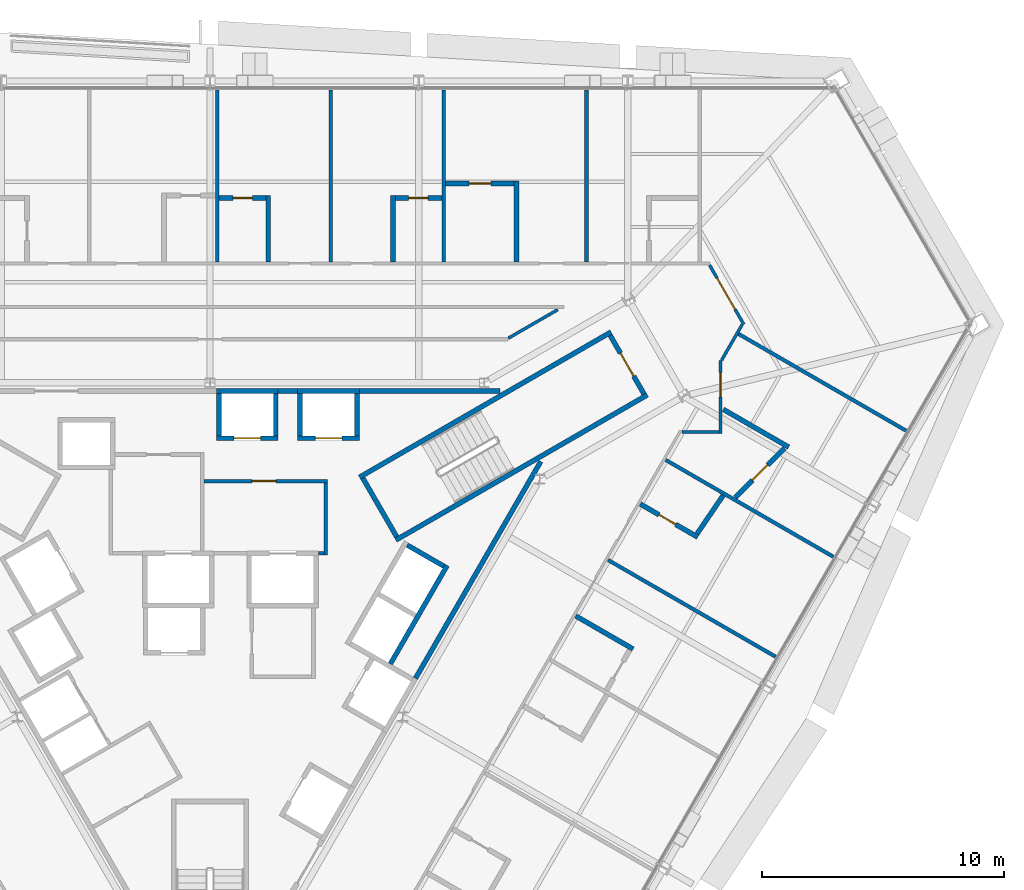
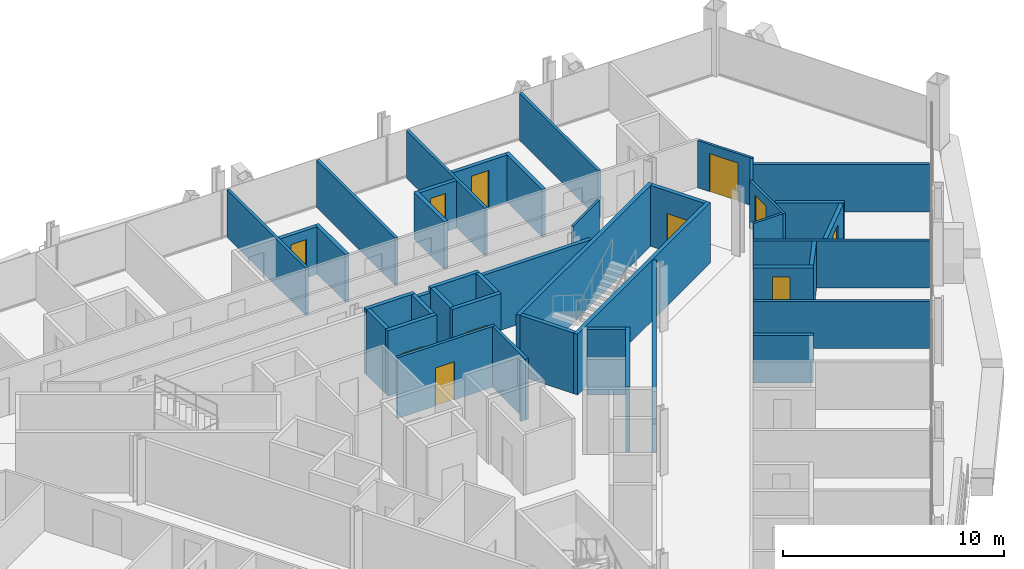
# One storey, part 15 of 18: 43 walls, 11 doors, 11 openings.
"""IFC4 building model written with IfcOpenShell, lengths in metres."""

from ifc_helpers import new_model, si_unit, direction, frame, frame_2d, origin, place, context, subcontext, project, spatial, rectangle, extrude, material, layer, layer_set, type_object, element, fill, save


model = new_model("IFC4")

# Units and contexts
model_context = context("Model", 3, precision=1e-05, world=origin(), true_north=direction((0.0, 1.0)))
body_context = subcontext(model_context, "Body", "Model", "MODEL_VIEW")
ifc_project = project(units=[si_unit("LENGTHUNIT", "METRE"), si_unit("AREAUNIT", "SQUARE_METRE"), si_unit("VOLUMEUNIT", "CUBIC_METRE"), si_unit("PLANEANGLEUNIT", "RADIAN"), si_unit("MASSUNIT", "GRAM", prefix="KILO")], contexts=[model_context])

# Site, building, storey
site_placement = place(None, origin())
site = spatial("IfcSite", under=ifc_project, at=site_placement, CompositionType="ELEMENT")
building_placement = place(site_placement, origin())
building = spatial("IfcBuilding", under=site, at=building_placement, Name="Verrane Prism Tower", CompositionType="ELEMENT")
storey_placement = place(building_placement, frame((0.0, 0.0, 80.0)))
storey = spatial("IfcBuildingStorey", under=building, at=storey_placement, Name="L18", CompositionType="ELEMENT", Elevation=80.0)

# Walls
ifc_material_1 = material(Name="Gypsum board partition", Category="other")
ifc_layer_1 = layer(ifc_material_1, 0.199951171875)
ifc_layer_set_1 = layer_set([ifc_layer_1], Name="CW-200 core boundary wall 2 h")
wall_type_1 = type_object("IfcWallType", Name="CW-200 core boundary wall 2 h", PredefinedType="PARTITIONING", material=ifc_layer_set_1)
wall_1_placement = place(storey_placement, frame((2.81689453125, 8.860107421875, 0.0), z_axis=(0.0, 0.0, 1.0), x_axis=(1.0, 0.0, 0.0)))
element("IfcWall", 1, at=wall_1_placement, inside=storey, type_object=wall_type_1, Name="Core boundary wall CW3-004", PredefinedType="PARTITIONING", context=body_context, shape_type="SweptSolid", body=[
    extrude(rectangle(XDim=0.80615234375, YDim=0.199951171875, at=frame_2d((0.403076171875, 0.0))), origin(), (0.0, 0.0, 1.0), 3.35009765625),
])
wall_2_placement = place(storey_placement, frame((6.177001953125, 8.860107421875, 0.0), z_axis=(0.0, 0.0, 1.0), x_axis=(1.0, 0.0, 0.0)))
element("IfcWall", 2, at=wall_2_placement, inside=storey, type_object=wall_type_1, Name="Core boundary wall CW3-006", PredefinedType="PARTITIONING", context=body_context, shape_type="SweptSolid", body=[
    extrude(rectangle(XDim=5.81396484375, YDim=0.199951171875, at=frame_2d((2.906982421875, 0.0))), origin(), (0.0, 0.0, 1.0), 3.35009765625),
])
wall_3_placement = place(storey_placement, frame((8.491943359375, -3.011962890625, 0.0), z_axis=(0.0, 0.0, 1.0), x_axis=(0.499972957231, 0.866041016371, 0.0)))
element("IfcWall", 3, at=wall_3_placement, inside=storey, type_object=wall_type_1, Name="Core boundary wall CW3-007", PredefinedType="PARTITIONING", context=body_context, shape_type="SweptSolid", body=[
    extrude(rectangle(XDim=10.3486328125, YDim=0.199951171875, at=frame_2d((5.17431640625, 0.0))), origin(), (0.0, 0.0, 1.0), 3.35009765625),
])

# Wall, opening, door
ifc_material_2 = material(Name="Concrete C40/50", Category="concrete")
ifc_layer_2 = layer(ifc_material_2, 0.199951171875)
ifc_layer_set_2 = layer_set([ifc_layer_2], Name="CW-200 stair core wall concrete C40/50 3 h")
wall_type_2 = type_object("IfcWallType", Name="CW-200 stair core wall concrete C40/50 3 h", PredefinedType="PARTITIONING", material=ifc_layer_set_2)
wall_4_placement = place(storey_placement, frame((17.933837890625, 8.737548828125, 0.0), z_axis=(0.0, 0.0, 1.0), x_axis=(-0.49998411664, 0.866034573852, 0.0)))
wall_4 = element("IfcWall", 4, at=wall_4_placement, inside=storey, type_object=wall_type_2, Name="Stair 1 enclosure wall", PredefinedType="PARTITIONING", context=body_context, shape_type="SweptSolid", body=[
    extrude(rectangle(XDim=2.7998046875, YDim=0.199951171875, at=frame_2d((1.39990234375, 0.0))), origin(), (0.0, 0.0, 1.0), 3.35009765625),
])
opening_1_placement = place(wall_4_placement, frame((0.849853515625, 0.0, 0.0)))
opening_1 = element("IfcOpeningElement", 5, at=opening_1_placement, cuts=wall_4, Name="Opening D17500", PredefinedType="OPENING", context=body_context, shape_type="SweptSolid", body=[
    extrude(rectangle(XDim=1.10009765625, YDim=2.10009765625, at=frame_2d((0.550048828125, 1.050048828125))), frame((0.0, 0.10986328125, 0.0), z_axis=(0.0, -1.0, 0.0), x_axis=(1.0, 0.0, 0.0)), (0.0, 0.0, 1.0), 0.219970703125),
])
ifc_material_3 = material(Name="Timber veneered door leaf", Category="wood")
door_type_1 = type_object("IfcDoorType", Name="DR-1100x2100 FD90 single leaf stair", OperationType="NOTDEFINED", PredefinedType="DOOR", material=ifc_material_3)
door_1_placement = place(opening_1_placement, origin())
door_1 = element("IfcDoor", 6, at=door_1_placement, inside=storey, type_object=door_type_1, Name="Stair 1 door", OperationType="SINGLE_SWING_LEFT", OverallHeight=2.10009765625, OverallWidth=1.10009765625, PredefinedType="DOOR", context=body_context, shape_type="SweptSolid", body=[
    extrude(rectangle(XDim=1.10009765625, YDim=2.10009765625, at=frame_2d((0.550048828125, 1.050048828125))), frame((0.0, 0.02490234375, 0.0), z_axis=(0.0, -1.0, 0.0), x_axis=(1.0, 0.0, 0.0)), (0.0, 0.0, 1.0), 0.050048828125),
])
fill(opening_1, door_1)

# Walls
for number, where, z_axis, x_axis, name in (
    (7, (6.17822265625, 5.299072265625, 0.0), (0.0, 0.0, 1.0), (0.866026010844, 0.49999894854, 0.0), "Stair 1 enclosure wall"),
    (8, (7.67822265625, 2.700927734375, 0.0), (0.0, 0.0, 1.0), (0.866026010844, 0.49999894854, 0.0), "Stair 1 enclosure wall"),
):
    element("IfcWall", number, at=place(storey_placement, frame(where, z_axis=z_axis, x_axis=x_axis)), inside=storey, type_object=wall_type_2, Name=name, PredefinedType="PARTITIONING", context=body_context, shape_type="SweptSolid", body=[
        extrude(rectangle(XDim=12.0, YDim=0.199951171875, at=frame_2d((6.0, 0.0))), origin(), (0.0, 0.0, 1.0), 3.35009765625),
    ])
wall_5_placement = place(storey_placement, frame((7.71484375, 2.837646484375, 0.0), z_axis=(0.0, 0.0, 1.0), x_axis=(-0.500049511043, 0.865996816683, 0.0)))
element("IfcWall", 9, at=wall_5_placement, inside=storey, type_object=wall_type_2, Name="Stair 1 enclosure wall", PredefinedType="PARTITIONING", context=body_context, shape_type="SweptSolid", body=[
    extrude(rectangle(XDim=2.800048828125, YDim=0.199951171875, at=frame_2d((1.39990234375, 0.0))), origin(), (0.0, 0.0, 1.0), 3.35009765625),
])

# Wall, opening, door
ifc_material_4 = material(Name="Gypsum board shaft wall assembly", Category="other")
ifc_layer_3 = layer(ifc_material_4, 0.199951171875)
ifc_layer_set_3 = layer_set([ifc_layer_3], Name="HW-200 lift shaft wall 2 h")
wall_type_3 = type_object("IfcWallType", Name="HW-200 lift shaft wall 2 h", PredefinedType="PARTITIONING", material=ifc_layer_set_3)
wall_6_placement = place(storey_placement, frame((0.264892578125, 6.909912109375, 0.0), z_axis=(0.0, 0.0, 1.0), x_axis=(1.0, 0.0, 0.0)))
wall_6 = element("IfcWall", 10, at=wall_6_placement, inside=storey, type_object=wall_type_3, Name="Lift shaft wall", PredefinedType="PARTITIONING", context=body_context, shape_type="SweptSolid", body=[
    extrude(rectangle(XDim=2.550048828125, YDim=0.199951171875, at=frame_2d((1.27490234375, 0.0))), origin(), (0.0, 0.0, 1.0), 3.60009765625),
])
opening_2_placement = place(wall_6_placement, frame((0.72509765625, 0.0, 0.0)))
opening_2 = element("IfcOpeningElement", 11, at=opening_2_placement, cuts=wall_6, Name="Opening D17503", PredefinedType="OPENING", context=body_context, shape_type="SweptSolid", body=[
    extrude(rectangle(XDim=1.10009765625, YDim=2.10009765625, at=frame_2d((0.550048828125, 1.050048828125))), frame((0.0, 0.10986328125, 0.0), z_axis=(0.0, -1.0, 0.0), x_axis=(1.0, 0.0, 0.0)), (0.0, 0.0, 1.0), 0.219970703125),
])
ifc_material_5 = material(Name="Stainless steel sliding landing door", Category="steel")
door_type_2 = type_object("IfcDoorType", Name="LD-1100x2100 lift landing door FD90 sliding", OperationType="NOTDEFINED", PredefinedType="DOOR", material=ifc_material_5)
door_2_placement = place(opening_2_placement, origin())
door_2 = element("IfcDoor", 12, at=door_2_placement, inside=storey, type_object=door_type_2, Name="Bank A lift 1 landing door", OperationType="SLIDING_TO_LEFT", OverallHeight=2.10009765625, OverallWidth=1.10009765625, PredefinedType="DOOR", context=body_context, shape_type="SweptSolid", body=[
    extrude(rectangle(XDim=1.10009765625, YDim=2.10009765625, at=frame_2d((0.550048828125, 1.050048828125))), frame((0.0, 0.02490234375, 0.0), z_axis=(0.0, -1.0, 0.0), x_axis=(1.0, 0.0, 0.0)), (0.0, 0.0, 1.0), 0.050048828125),
])
fill(opening_2, door_2)

wall_7_placement = place(storey_placement, frame((3.625, 6.909912109375, 0.0), z_axis=(0.0, 0.0, 1.0), x_axis=(1.0, 0.0, 0.0)))
wall_7 = element("IfcWall", 13, at=wall_7_placement, inside=storey, type_object=wall_type_3, Name="Lift shaft wall", PredefinedType="PARTITIONING", context=body_context, shape_type="SweptSolid", body=[
    extrude(rectangle(XDim=2.550048828125, YDim=0.199951171875, at=frame_2d((1.27490234375, 0.0))), origin(), (0.0, 0.0, 1.0), 3.60009765625),
])
opening_3_placement = place(wall_7_placement, frame((0.72509765625, 0.0, 0.0)))
opening_3 = element("IfcOpeningElement", 14, at=opening_3_placement, cuts=wall_7, Name="Opening D17505", PredefinedType="OPENING", context=body_context, shape_type="SweptSolid", body=[
    extrude(rectangle(XDim=1.10009765625, YDim=2.10009765625, at=frame_2d((0.550048828125, 1.050048828125))), frame((0.0, 0.10986328125, 0.0), z_axis=(0.0, -1.0, 0.0), x_axis=(1.0, 0.0, 0.0)), (0.0, 0.0, 1.0), 0.219970703125),
])
door_3_placement = place(opening_3_placement, origin())
door_3 = element("IfcDoor", 15, at=door_3_placement, inside=storey, type_object=door_type_2, Name="Bank A lift 3 landing door", OperationType="SLIDING_TO_LEFT", OverallHeight=2.10009765625, OverallWidth=1.10009765625, PredefinedType="DOOR", context=body_context, shape_type="SweptSolid", body=[
    extrude(rectangle(XDim=1.10009765625, YDim=2.10009765625, at=frame_2d((0.550048828125, 1.050048828125))), frame((0.0, 0.02490234375, 0.0), z_axis=(0.0, -1.0, 0.0), x_axis=(1.0, 0.0, 0.0)), (0.0, 0.0, 1.0), 0.050048828125),
])
fill(opening_3, door_3)

# Walls
for number, where, z_axis, x_axis, name in (
    (16, (0.264892578125, 8.860107421875, 0.0), (0.0, 0.0, 1.0), (1.0, 0.0, 0.0), "Lift shaft wall"),
    (17, (3.625, 8.860107421875, 0.0), (0.0, 0.0, 1.0), (1.0, 0.0, 0.0), "Lift shaft wall"),
):
    element("IfcWall", number, at=place(storey_placement, frame(where, z_axis=z_axis, x_axis=x_axis)), inside=storey, type_object=wall_type_3, Name=name, PredefinedType="PARTITIONING", context=body_context, shape_type="SweptSolid", body=[
        extrude(rectangle(XDim=2.550048828125, YDim=0.199951171875, at=frame_2d((1.27490234375, 0.0))), origin(), (0.0, 0.0, 1.0), 3.60009765625),
    ])
wall_8_placement = place(storey_placement, frame((7.451171875, -2.4140625, 0.0), z_axis=(0.0, 0.0, 1.0), x_axis=(0.500016218704, 0.866016039709, 0.0)))
element("IfcWall", 18, at=wall_8_placement, inside=storey, type_object=wall_type_3, Name="Lift shaft wall", PredefinedType="PARTITIONING", context=body_context, shape_type="SweptSolid", body=[
    extrude(rectangle(XDim=4.699951171875, YDim=0.199951171875, at=frame_2d((2.35009765625, 0.0))), origin(), (0.0, 0.0, 1.0), 3.60009765625),
])
for number, where, z_axis, x_axis, name in (
    (19, (6.074951171875, 7.010009765625, 0.0), (0.0, 0.0, 1.0), (0.0, 1.0, 0.0), "Lift shaft wall"),
    (20, (3.72509765625, 7.010009765625, 0.0), (0.0, 0.0, 1.0), (0.0, 1.0, 0.0), "Lift shaft wall"),
    (21, (2.715087890625, 7.010009765625, 0.0), (0.0, 0.0, 1.0), (0.0, 1.0, 0.0), "Lift shaft wall"),
    (22, (0.364990234375, 7.010009765625, 0.0), (0.0, 0.0, 1.0), (0.0, 1.0, 0.0), "Lift shaft wall"),
):
    element("IfcWall", number, at=place(storey_placement, frame(where, z_axis=z_axis, x_axis=x_axis)), inside=storey, type_object=wall_type_3, Name=name, PredefinedType="PARTITIONING", context=body_context, shape_type="SweptSolid", body=[
        extrude(rectangle(XDim=1.75, YDim=0.199951171875, at=frame_2d((0.875, 0.0))), origin(), (0.0, 0.0, 1.0), 3.60009765625),
    ])
wall_9_placement = place(storey_placement, frame((9.66455078125, 1.61962890625, 0.0), z_axis=(0.0, 0.0, 1.0), x_axis=(-0.866002029911, 0.500040482552, 0.0)))
element("IfcWall", 23, at=wall_9_placement, inside=storey, type_object=wall_type_3, Name="Lift shaft wall", PredefinedType="PARTITIONING", context=body_context, shape_type="SweptSolid", body=[
    extrude(rectangle(XDim=1.749755859375, YDim=0.199951171875, at=frame_2d((0.875, 0.0))), origin(), (0.0, 0.0, 1.0), 3.60009765625),
])

# Wall, opening, door
ifc_material_6 = material(Name="Gypsum board partition", Category="other")
ifc_layer_4 = layer(ifc_material_6, 0.14990234375)
ifc_layer_set_4 = layer_set([ifc_layer_4], Name="LF-150 firefighting lobby wall 1 h")
wall_type_4 = type_object("IfcWallType", Name="LF-150 firefighting lobby wall 1 h", PredefinedType="PARTITIONING", material=ifc_layer_set_4)
wall_10_placement = place(storey_placement, frame((-0.2451171875, 5.139892578125, 0.0), z_axis=(0.0, 0.0, 1.0), x_axis=(1.0, 0.0, 0.0)))
wall_10 = element("IfcWall", 24, at=wall_10_placement, inside=storey, type_object=wall_type_4, Name="Firefighting lobby wall LF1-005", PredefinedType="PARTITIONING", context=body_context, shape_type="SweptSolid", body=[
    extrude(rectangle(XDim=5.110107421875, YDim=0.14990234375, at=frame_2d((2.55517578125, 0.0))), origin(), (0.0, 0.0, 1.0), 3.35009765625),
])
opening_4_placement = place(wall_10_placement, frame((1.97509765625, 0.0, 0.0)))
opening_4 = element("IfcOpeningElement", 25, at=opening_4_placement, cuts=wall_10, Name="Opening D17516", PredefinedType="OPENING", context=body_context, shape_type="SweptSolid", body=[
    extrude(rectangle(XDim=1.0, YDim=2.10009765625, at=frame_2d((0.5, 1.050048828125))), frame((0.0, 0.0849609375, 0.0), z_axis=(0.0, -1.0, 0.0), x_axis=(1.0, 0.0, 0.0)), (0.0, 0.0, 1.0), 0.169921875),
])
ifc_material_7 = material(Name="Timber veneered door leaf", Category="wood")
door_type_3 = type_object("IfcDoorType", Name="DR-1000x2100 FD60 single leaf firefighting lobby", OperationType="NOTDEFINED", PredefinedType="DOOR", material=ifc_material_7)
door_4_placement = place(opening_4_placement, origin())
door_4 = element("IfcDoor", 26, at=door_4_placement, inside=storey, type_object=door_type_3, Name="Firefighting lobby door D17516", OperationType="SINGLE_SWING_RIGHT", OverallHeight=2.10009765625, OverallWidth=1.0, PredefinedType="DOOR", context=body_context, shape_type="SweptSolid", body=[
    extrude(rectangle(XDim=1.0, YDim=2.10009765625, at=frame_2d((0.5, 1.050048828125))), frame((0.0, 0.02490234375, 0.0), z_axis=(0.0, -1.0, 0.0), x_axis=(1.0, 0.0, 0.0)), (0.0, 0.0, 1.0), 0.050048828125),
])
fill(opening_4, door_4)

# Walls
wall_11_placement = place(storey_placement, frame((4.47705078125, 2.159912109375, 0.0), z_axis=(0.0, 0.0, 1.0), x_axis=(1.0, 0.0, 0.0)))
element("IfcWall", 27, at=wall_11_placement, inside=storey, type_object=wall_type_4, Name="Firefighting lobby wall LF1-007", PredefinedType="PARTITIONING", context=body_context, shape_type="SweptSolid", body=[
    extrude(rectangle(XDim=0.238037109375, YDim=0.14990234375, at=frame_2d((0.119140625, 0.0))), origin(), (0.0, 0.0, 1.0), 3.35009765625),
])
wall_12_placement = place(storey_placement, frame((4.7900390625, 2.0849609375, 0.0), z_axis=(0.0, 0.0, 1.0), x_axis=(0.0, 1.0, 0.0)))
element("IfcWall", 28, at=wall_12_placement, inside=storey, type_object=wall_type_4, Name="Firefighting lobby wall LF1-008", PredefinedType="PARTITIONING", context=body_context, shape_type="SweptSolid", body=[
    extrude(rectangle(XDim=2.97998046875, YDim=0.14990234375, at=frame_2d((1.489990234375, 0.0))), origin(), (0.0, 0.0, 1.0), 3.35009765625),
])
ifc_material_8 = material(Name="Gypsum board partition", Category="other")
ifc_layer_5 = layer(ifc_material_8, 0.125)
ifc_layer_set_5 = layer_set([ifc_layer_5], Name="PW-125 corridor wall 1 h")
wall_type_5 = type_object("IfcWallType", Name="PW-125 corridor wall 1 h", PredefinedType="PARTITIONING", material=ifc_layer_set_5)
wall_13_placement = place(storey_placement, frame((12.32666015625, 11.04248046875, 0.0), z_axis=(0.0, 0.0, 1.0), x_axis=(0.866063239147, 0.499934461503, 0.0)))
element("IfcWall", 29, at=wall_13_placement, inside=storey, type_object=wall_type_5, Name="Corridor wall 072", PredefinedType="PARTITIONING", context=body_context, shape_type="SweptSolid", body=[
    extrude(rectangle(XDim=2.359130859375, YDim=0.125, at=frame_2d((1.1796875, 0.0))), origin(), (0.0, 0.0, 1.0), 2.613037109375),
])
wall_14_placement = place(storey_placement, frame((19.510009765625, 7.1630859375, 0.0), z_axis=(0.0, 0.0, 1.0), x_axis=(1.0, 0.0, 0.0)))
element("IfcWall", 30, at=wall_14_placement, inside=storey, type_object=wall_type_5, Name="Corridor wall 085", PredefinedType="PARTITIONING", context=body_context, shape_type="SweptSolid", body=[
    extrude(rectangle(XDim=1.52197265625, YDim=0.125, at=frame_2d((0.760986328125, 0.0))), origin(), (0.0, 0.0, 1.0), 2.613037109375),
])

# Wall, opening, door
wall_15_placement = place(storey_placement, frame((20.642578125, 14.0634765625, 0.0), z_axis=(0.0, 0.0, 1.0), x_axis=(0.499647745683, -0.866228682412, 0.0)))
wall_15 = element("IfcWall", 31, at=wall_15_placement, inside=storey, type_object=wall_type_5, Name="Corridor wall 088", PredefinedType="PARTITIONING", context=body_context, shape_type="SweptSolid", body=[
    extrude(rectangle(XDim=2.8291015625, YDim=0.125, at=frame_2d((1.41455078125, 0.0))), origin(), (0.0, 0.0, 1.0), 2.613037109375),
])
opening_5_placement = place(wall_15_placement, frame((0.614990234375, 0.0, 0.0)))
opening_5 = element("IfcOpeningElement", 32, at=opening_5_placement, cuts=wall_15, Name="Opening D17017", PredefinedType="OPENING", context=body_context, shape_type="SweptSolid", body=[
    extrude(rectangle(XDim=1.5, YDim=2.10009765625, at=frame_2d((0.75, 1.050048828125))), frame((0.0, 0.072509765625, 0.0), z_axis=(0.0, -1.0, 0.0), x_axis=(1.0, 0.0, 0.0)), (0.0, 0.0, 1.0), 0.14501953125),
])
ifc_material_9 = material(Name="Timber veneered door leaf", Category="wood")
door_type_4 = type_object("IfcDoorType", Name="DR-1500x2100 FD20 double leaf public", OperationType="NOTDEFINED", PredefinedType="DOOR", material=ifc_material_9)
door_5_placement = place(opening_5_placement, origin())
door_5 = element("IfcDoor", 33, at=door_5_placement, inside=storey, type_object=door_type_4, Name="Executive Lounge door", OperationType="DOUBLE_DOOR_SINGLE_SWING", OverallHeight=2.10009765625, OverallWidth=1.5, PredefinedType="DOOR", context=body_context, shape_type="SweptSolid", body=[
    extrude(rectangle(XDim=1.5, YDim=2.10009765625, at=frame_2d((0.75, 1.050048828125))), frame((0.0, 0.02490234375, 0.0), z_axis=(0.0, -1.0, 0.0), x_axis=(1.0, 0.0, 0.0)), (0.0, 0.0, 1.0), 0.050048828125),
])
fill(opening_5, door_5)

wall_16_placement = place(storey_placement, frame((21.096923828125, 10.12255859375, 0.0), z_axis=(0.0, 0.0, 1.0), x_axis=(0.0, -1.0, 0.0)))
wall_16 = element("IfcWall", 34, at=wall_16_placement, inside=storey, type_object=wall_type_5, Name="Corridor wall 089", PredefinedType="PARTITIONING", context=body_context, shape_type="SweptSolid", body=[
    extrude(rectangle(XDim=3.02197265625, YDim=0.125, at=frame_2d((1.510986328125, 0.0))), origin(), (0.0, 0.0, 1.0), 2.613037109375),
])
opening_6_placement = place(wall_16_placement, frame((0.505615234375, 0.0, 0.0)))
opening_6 = element("IfcOpeningElement", 35, at=opening_6_placement, cuts=wall_16, Name="Opening D17015", PredefinedType="OPENING", context=body_context, shape_type="SweptSolid", body=[
    extrude(rectangle(XDim=1.0, YDim=2.10009765625, at=frame_2d((0.5, 1.050048828125))), frame((0.0, 0.072509765625, 0.0), z_axis=(0.0, -1.0, 0.0), x_axis=(1.0, 0.0, 0.0)), (0.0, 0.0, 1.0), 0.14501953125),
])
ifc_material_10 = material(Name="Timber veneered door leaf", Category="wood")
door_type_5 = type_object("IfcDoorType", Name="DR-1000x2100 FD20 single leaf unit", OperationType="NOTDEFINED", PredefinedType="DOOR", material=ifc_material_10)
door_6_placement = place(opening_6_placement, origin())
door_6 = element("IfcDoor", 36, at=door_6_placement, inside=storey, type_object=door_type_5, Name="Accessible Guest Room door", OperationType="SINGLE_SWING_RIGHT", OverallHeight=2.10009765625, OverallWidth=1.0, PredefinedType="DOOR", context=body_context, shape_type="SweptSolid", body=[
    extrude(rectangle(XDim=1.0, YDim=2.10009765625, at=frame_2d((0.5, 1.050048828125))), frame((0.0, 0.02490234375, 0.0), z_axis=(0.0, -1.0, 0.0), x_axis=(1.0, 0.0, 0.0)), (0.0, 0.0, 1.0), 0.050048828125),
])
fill(opening_6, door_6)

# Walls
wall_17_placement = place(storey_placement, frame((21.139404296875, 10.133544921875, 0.0), z_axis=(0.0, 0.0, 1.0), x_axis=(0.500048373822, 0.865997473344, 0.0)))
element("IfcWall", 37, at=wall_17_placement, inside=storey, type_object=wall_type_5, Name="Corridor wall 091", PredefinedType="PARTITIONING", context=body_context, shape_type="SweptSolid", body=[
    extrude(rectangle(XDim=1.685791015625, YDim=0.125, at=frame_2d((0.8427734375, 0.0))), origin(), (0.0, 0.0, 1.0), 2.613037109375),
])
ifc_material_11 = material(Name="Gypsum board partition", Category="other")
ifc_layer_6 = layer(ifc_material_11, 0.14990234375)
ifc_layer_set_6 = layer_set([ifc_layer_6], Name="PW-150 demising wall 1 h")
wall_type_6 = type_object("IfcWallType", Name="PW-150 demising wall 1 h", PredefinedType="PARTITIONING", material=ifc_layer_set_6)
for number, where, z_axis, x_axis, name in (
    (38, (0.304931640625, 14.199462890625, 0.0), (0.0, 0.0, 1.0), (0.0, 1.0, 0.0), "Demising wall 047"),
    (39, (4.98291015625, 14.199462890625, 0.0), (0.0, 0.0, 1.0), (0.0, 1.0, 0.0), "Demising wall 057"),
    (40, (9.659912109375, 14.199462890625, 0.0), (0.0, 0.0, 1.0), (0.0, 1.0, 0.0), "Demising wall 066"),
    (41, (15.55810546875, 14.199462890625, 0.0), (0.0, 0.0, 1.0), (0.0, 1.0, 0.0), "Demising wall 078"),
):
    element("IfcWall", number, at=place(storey_placement, frame(where, z_axis=z_axis, x_axis=x_axis)), inside=storey, type_object=wall_type_6, Name=name, PredefinedType="PARTITIONING", context=body_context, shape_type="SweptSolid", body=[
        extrude(rectangle(XDim=7.095458984375, YDim=0.14990234375, at=frame_2d((3.5478515625, 0.0))), origin(), (0.0, 0.0, 1.0), 2.613037109375),
    ])
wall_18_placement = place(storey_placement, frame((16.450439453125, 1.877197265625, 0.0), z_axis=(0.0, 0.0, 1.0), x_axis=(0.866052736899, -0.499952654668, 0.0)))
element("IfcWall", 42, at=wall_18_placement, inside=storey, type_object=wall_type_6, Name="Demising wall 080", PredefinedType="PARTITIONING", context=body_context, shape_type="SweptSolid", body=[
    extrude(rectangle(XDim=7.987060546875, YDim=0.14990234375, at=frame_2d((3.99365234375, 0.0))), origin(), (0.0, 0.0, 1.0), 2.613037109375),
])
wall_19_placement = place(storey_placement, frame((18.83203125, 6.0107421875, 0.0), z_axis=(0.0, 0.0, 1.0), x_axis=(0.866027362729, -0.499996606993, 0.0)))
element("IfcWall", 43, at=wall_19_placement, inside=storey, type_object=wall_type_6, Name="Demising wall 084", PredefinedType="PARTITIONING", context=body_context, shape_type="SweptSolid", body=[
    extrude(rectangle(XDim=7.9912109375, YDim=0.14990234375, at=frame_2d((3.99560546875, 0.0))), origin(), (0.0, 0.0, 1.0), 2.613037109375),
])
wall_20_placement = place(storey_placement, frame((21.839111328125, 11.21875, 0.0), z_axis=(0.0, 0.0, 1.0), x_axis=(0.866019724796, -0.500009836168, 0.0)))
element("IfcWall", 44, at=wall_20_placement, inside=storey, type_object=wall_type_6, Name="Demising wall 093", PredefinedType="PARTITIONING", context=body_context, shape_type="SweptSolid", body=[
    extrude(rectangle(XDim=7.990966796875, YDim=0.14990234375, at=frame_2d((3.99560546875, 0.0))), origin(), (0.0, 0.0, 1.0), 2.613037109375),
])

# Wall, opening, door
ifc_material_12 = material(Name="Gypsum board partition", Category="other")
ifc_layer_7 = layer(ifc_material_12, 0.199951171875)
ifc_layer_set_7 = layer_set([ifc_layer_7], Name="PW-200 plumbing wall")
wall_type_7 = type_object("IfcWallType", Name="PW-200 plumbing wall", PredefinedType="PARTITIONING", material=ifc_layer_set_7)
wall_21_placement = place(storey_placement, frame((2.304931640625, 16.8369140625, 0.0), z_axis=(0.0, 0.0, 1.0), x_axis=(-1.0, 0.0, 0.0)))
wall_21 = element("IfcWall", 45, at=wall_21_placement, inside=storey, type_object=wall_type_7, Name="Plumbing wall 048", PredefinedType="PARTITIONING", context=body_context, shape_type="SweptSolid", body=[
    extrude(rectangle(XDim=1.925048828125, YDim=0.199951171875, at=frame_2d((0.96240234375, 0.0))), origin(), (0.0, 0.0, 1.0), 2.613037109375),
])
opening_7_placement = place(wall_21_placement, frame((0.550048828125, 0.0, 0.0)))
opening_7 = element("IfcOpeningElement", 46, at=opening_7_placement, cuts=wall_21, Name="Opening D17025", PredefinedType="OPENING", context=body_context, shape_type="SweptSolid", body=[
    extrude(rectangle(XDim=0.800048828125, YDim=2.10009765625, at=frame_2d((0.39990234375, 1.050048828125))), frame((0.0, 0.10986328125, 0.0), z_axis=(0.0, -1.0, 0.0), x_axis=(1.0, 0.0, 0.0)), (0.0, 0.0, 1.0), 0.219970703125),
])
ifc_material_13 = material(Name="Timber veneered door leaf", Category="wood")
door_type_6 = type_object("IfcDoorType", Name="DR-800x2100 single leaf bath", OperationType="NOTDEFINED", PredefinedType="DOOR", material=ifc_material_13)
door_7_placement = place(opening_7_placement, origin())
door_7 = element("IfcDoor", 47, at=door_7_placement, inside=storey, type_object=door_type_6, Name="En-Suite door", OperationType="SINGLE_SWING_RIGHT", OverallHeight=2.10009765625, OverallWidth=0.800048828125, PredefinedType="DOOR", context=body_context, shape_type="SweptSolid", body=[
    extrude(rectangle(XDim=0.800048828125, YDim=2.10009765625, at=frame_2d((0.39990234375, 1.050048828125))), frame((0.0, 0.02490234375, 0.0), z_axis=(0.0, -1.0, 0.0), x_axis=(1.0, 0.0, 0.0)), (0.0, 0.0, 1.0), 0.050048828125),
])
fill(opening_7, door_7)

# Walls
for number, where, z_axis, x_axis, name in (
    (48, (2.405029296875, 14.199462890625, 0.0), (0.0, 0.0, 1.0), (0.0, 1.0, 0.0), "Plumbing wall 052"),
    (49, (7.56005859375, 14.199462890625, 0.0), (0.0, 0.0, 1.0), (0.0, 1.0, 0.0), "Plumbing wall 062"),
):
    element("IfcWall", number, at=place(storey_placement, frame(where, z_axis=z_axis, x_axis=x_axis)), inside=storey, type_object=wall_type_7, Name=name, PredefinedType="PARTITIONING", context=body_context, shape_type="SweptSolid", body=[
        extrude(rectangle(XDim=2.737548828125, YDim=0.199951171875, at=frame_2d((1.36865234375, 0.0))), origin(), (0.0, 0.0, 1.0), 2.613037109375),
    ])

# Wall, opening, door
wall_22_placement = place(storey_placement, frame((9.5849609375, 16.8369140625, 0.0), z_axis=(0.0, 0.0, 1.0), x_axis=(-1.0, 0.0, 0.0)))
wall_22 = element("IfcWall", 50, at=wall_22_placement, inside=storey, type_object=wall_type_7, Name="Plumbing wall 063", PredefinedType="PARTITIONING", context=body_context, shape_type="SweptSolid", body=[
    extrude(rectangle(XDim=1.925048828125, YDim=0.199951171875, at=frame_2d((0.96240234375, 0.0))), origin(), (0.0, 0.0, 1.0), 2.613037109375),
])
opening_8_placement = place(wall_22_placement, frame((0.574951171875, 0.0, 0.0)))
opening_8 = element("IfcOpeningElement", 51, at=opening_8_placement, cuts=wall_22, Name="Opening D17023", PredefinedType="OPENING", context=body_context, shape_type="SweptSolid", body=[
    extrude(rectangle(XDim=0.800048828125, YDim=2.10009765625, at=frame_2d((0.39990234375, 1.050048828125))), frame((0.0, 0.10986328125, 0.0), z_axis=(0.0, -1.0, 0.0), x_axis=(1.0, 0.0, 0.0)), (0.0, 0.0, 1.0), 0.219970703125),
])
door_8_placement = place(opening_8_placement, origin())
door_8 = element("IfcDoor", 52, at=door_8_placement, inside=storey, type_object=door_type_6, Name="En-Suite door", OperationType="SINGLE_SWING_RIGHT", OverallHeight=2.10009765625, OverallWidth=0.800048828125, PredefinedType="DOOR", context=body_context, shape_type="SweptSolid", body=[
    extrude(rectangle(XDim=0.800048828125, YDim=2.10009765625, at=frame_2d((0.39990234375, 1.050048828125))), frame((0.0, 0.02490234375, 0.0), z_axis=(0.0, -1.0, 0.0), x_axis=(1.0, 0.0, 0.0)), (0.0, 0.0, 1.0), 0.050048828125),
])
fill(opening_8, door_8)

wall_23_placement = place(storey_placement, frame((12.56005859375, 17.43701171875, 0.0), z_axis=(0.0, 0.0, 1.0), x_axis=(-1.0, 0.0, 0.0)))
wall_23 = element("IfcWall", 53, at=wall_23_placement, inside=storey, type_object=wall_type_7, Name="Plumbing wall 067", PredefinedType="PARTITIONING", context=body_context, shape_type="SweptSolid", body=[
    extrude(rectangle(XDim=2.824951171875, YDim=0.199951171875, at=frame_2d((1.41259765625, 0.0))), origin(), (0.0, 0.0, 1.0), 2.613037109375),
])
opening_9_placement = place(wall_23_placement, frame((0.949951171875, 0.0, 0.0)))
opening_9 = element("IfcOpeningElement", 54, at=opening_9_placement, cuts=wall_23, Name="Opening D17021", PredefinedType="OPENING", context=body_context, shape_type="SweptSolid", body=[
    extrude(rectangle(XDim=0.89990234375, YDim=2.10009765625, at=frame_2d((0.449951171875, 1.050048828125))), frame((0.0, 0.10986328125, 0.0), z_axis=(0.0, -1.0, 0.0), x_axis=(1.0, 0.0, 0.0)), (0.0, 0.0, 1.0), 0.219970703125),
])
ifc_material_14 = material(Name="Timber veneered door leaf", Category="wood")
door_type_7 = type_object("IfcDoorType", Name="DR-900x2100 single leaf bath", OperationType="NOTDEFINED", PredefinedType="DOOR", material=ifc_material_14)
door_9_placement = place(opening_9_placement, origin())
door_9 = element("IfcDoor", 55, at=door_9_placement, inside=storey, type_object=door_type_7, Name="En-Suite door", OperationType="SINGLE_SWING_RIGHT", OverallHeight=2.10009765625, OverallWidth=0.89990234375, PredefinedType="DOOR", context=body_context, shape_type="SweptSolid", body=[
    extrude(rectangle(XDim=0.89990234375, YDim=2.10009765625, at=frame_2d((0.449951171875, 1.050048828125))), frame((0.0, 0.02490234375, 0.0), z_axis=(0.0, -1.0, 0.0), x_axis=(1.0, 0.0, 0.0)), (0.0, 0.0, 1.0), 0.050048828125),
])
fill(opening_9, door_9)

# Walls
wall_24_placement = place(storey_placement, frame((12.659912109375, 14.199462890625, 0.0), z_axis=(0.0, 0.0, 1.0), x_axis=(0.0, 1.0, 0.0)))
element("IfcWall", 56, at=wall_24_placement, inside=storey, type_object=wall_type_7, Name="Plumbing wall 073", PredefinedType="PARTITIONING", context=body_context, shape_type="SweptSolid", body=[
    extrude(rectangle(XDim=3.337646484375, YDim=0.199951171875, at=frame_2d((1.6689453125, 0.0))), origin(), (0.0, 0.0, 1.0), 2.613037109375),
])
wall_25_placement = place(storey_placement, frame((15.115478515625, -0.434814453125, 0.0), z_axis=(0.0, 0.0, 1.0), x_axis=(0.866102295869, -0.499866795347, 0.0)))
element("IfcWall", 57, at=wall_25_placement, inside=storey, type_object=wall_type_7, Name="Plumbing wall 076", PredefinedType="PARTITIONING", context=body_context, shape_type="SweptSolid", body=[
    extrude(rectangle(XDim=2.733154296875, YDim=0.199951171875, at=frame_2d((1.36669921875, 0.0))), origin(), (0.0, 0.0, 1.0), 2.613037109375),
])

# Wall, opening, door
wall_26_placement = place(storey_placement, frame((17.7822265625, 4.191650390625, 0.0), z_axis=(0.0, 0.0, 1.0), x_axis=(0.866005850709, -0.50003386539, 0.0)))
wall_26 = element("IfcWall", 58, at=wall_26_placement, inside=storey, type_object=wall_type_7, Name="Plumbing wall 081", PredefinedType="PARTITIONING", context=body_context, shape_type="SweptSolid", body=[
    extrude(rectangle(XDim=2.737060546875, YDim=0.199951171875, at=frame_2d((1.36865234375, 0.0))), origin(), (0.0, 0.0, 1.0), 2.613037109375),
])
opening_10_placement = place(wall_26_placement, frame((0.887451171875, 0.0, 0.0)))
opening_10 = element("IfcOpeningElement", 59, at=opening_10_placement, cuts=wall_26, Name="Opening D17014", PredefinedType="OPENING", context=body_context, shape_type="SweptSolid", body=[
    extrude(rectangle(XDim=0.800048828125, YDim=2.10009765625, at=frame_2d((0.39990234375, 1.050048828125))), frame((0.0, 0.10986328125, 0.0), z_axis=(0.0, -1.0, 0.0), x_axis=(1.0, 0.0, 0.0)), (0.0, 0.0, 1.0), 0.219970703125),
])
door_10_placement = place(opening_10_placement, origin())
door_10 = element("IfcDoor", 60, at=door_10_placement, inside=storey, type_object=door_type_6, Name="En-Suite door", OperationType="SINGLE_SWING_RIGHT", OverallHeight=2.10009765625, OverallWidth=0.800048828125, PredefinedType="DOOR", context=body_context, shape_type="SweptSolid", body=[
    extrude(rectangle(XDim=0.800048828125, YDim=2.10009765625, at=frame_2d((0.39990234375, 1.050048828125))), frame((0.0, 0.02490234375, 0.0), z_axis=(0.0, -1.0, 0.0), x_axis=(1.0, 0.0, 0.0)), (0.0, 0.0, 1.0), 0.050048828125),
])
fill(opening_10, door_10)

# Walls
wall_27_placement = place(storey_placement, frame((20.127685546875, 2.964111328125, 0.0), z_axis=(0.0, 0.0, 1.0), x_axis=(0.561894569182, 0.827208857015, 0.0)))
element("IfcWall", 61, at=wall_27_placement, inside=storey, type_object=wall_type_7, Name="Plumbing wall 086", PredefinedType="PARTITIONING", context=body_context, shape_type="SweptSolid", body=[
    extrude(rectangle(XDim=1.9130859375, YDim=0.199951171875, at=frame_2d((0.95654296875, 0.0))), origin(), (0.0, 0.0, 1.0), 2.613037109375),
])
wall_28_placement = place(storey_placement, frame((21.20947265625, 8.10205078125, 0.0), z_axis=(0.0, 0.0, 1.0), x_axis=(0.86597196262, -0.50009255139, 0.0)))
element("IfcWall", 62, at=wall_28_placement, inside=storey, type_object=wall_type_7, Name="Plumbing wall 090", PredefinedType="PARTITIONING", context=body_context, shape_type="SweptSolid", body=[
    extrude(rectangle(XDim=3.12158203125, YDim=0.199951171875, at=frame_2d((1.560791015625, 0.0))), origin(), (0.0, 0.0, 1.0), 2.613037109375),
])

# Wall, opening, door
wall_29_placement = place(storey_placement, frame((21.70849609375, 4.4658203125, 0.0), z_axis=(0.0, 0.0, 1.0), x_axis=(0.70578703929, 0.708424064506, 0.0)))
wall_29 = element("IfcWall", 63, at=wall_29_placement, inside=storey, type_object=wall_type_7, Name="Plumbing wall 092", PredefinedType="PARTITIONING", context=body_context, shape_type="SweptSolid", body=[
    extrude(rectangle(XDim=2.8701171875, YDim=0.199951171875, at=frame_2d((1.43505859375, 0.0))), origin(), (0.0, 0.0, 1.0), 2.613037109375),
])
opening_11_placement = place(wall_29_placement, frame((0.995849609375, 0.0, 0.0)))
opening_11 = element("IfcOpeningElement", 64, at=opening_11_placement, cuts=wall_29, Name="Opening D17016", PredefinedType="OPENING", context=body_context, shape_type="SweptSolid", body=[
    extrude(rectangle(XDim=0.89990234375, YDim=2.10009765625, at=frame_2d((0.449951171875, 1.050048828125))), frame((0.0, 0.10986328125, 0.0), z_axis=(0.0, -1.0, 0.0), x_axis=(1.0, 0.0, 0.0)), (0.0, 0.0, 1.0), 0.219970703125),
])
door_11_placement = place(opening_11_placement, origin())
door_11 = element("IfcDoor", 65, at=door_11_placement, inside=storey, type_object=door_type_7, Name="En-Suite door", OperationType="SINGLE_SWING_RIGHT", OverallHeight=2.10009765625, OverallWidth=0.89990234375, PredefinedType="DOOR", context=body_context, shape_type="SweptSolid", body=[
    extrude(rectangle(XDim=0.89990234375, YDim=2.10009765625, at=frame_2d((0.449951171875, 1.050048828125))), frame((0.0, 0.02490234375, 0.0), z_axis=(0.0, -1.0, 0.0), x_axis=(1.0, 0.0, 0.0)), (0.0, 0.0, 1.0), 0.050048828125),
])
fill(opening_11, door_11)

save(model, "model.ifc")
